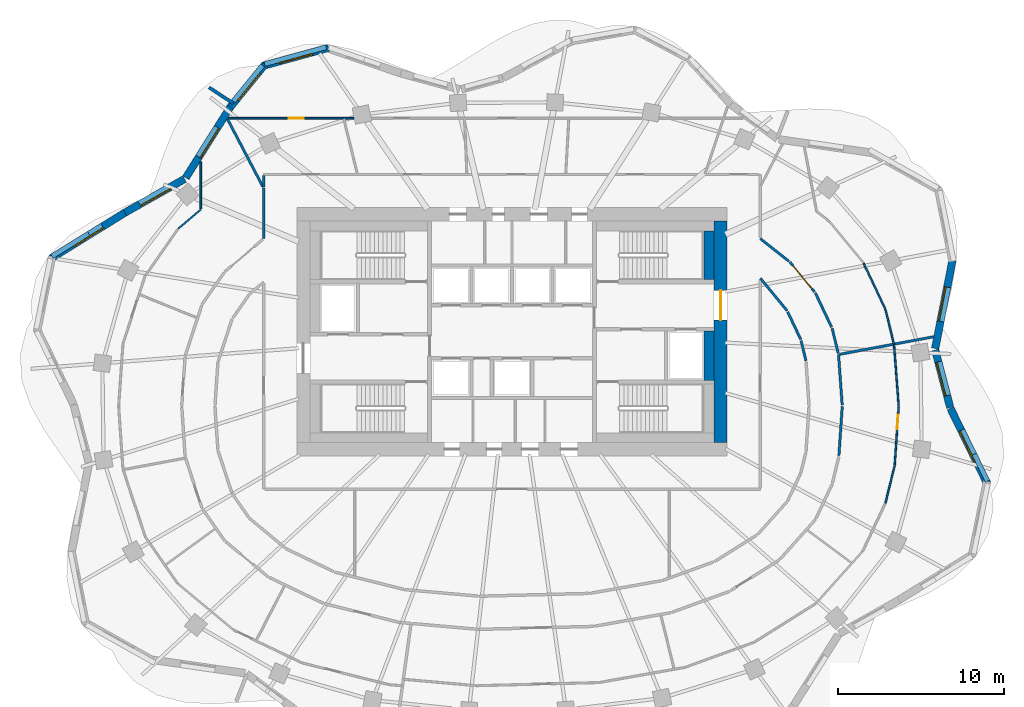
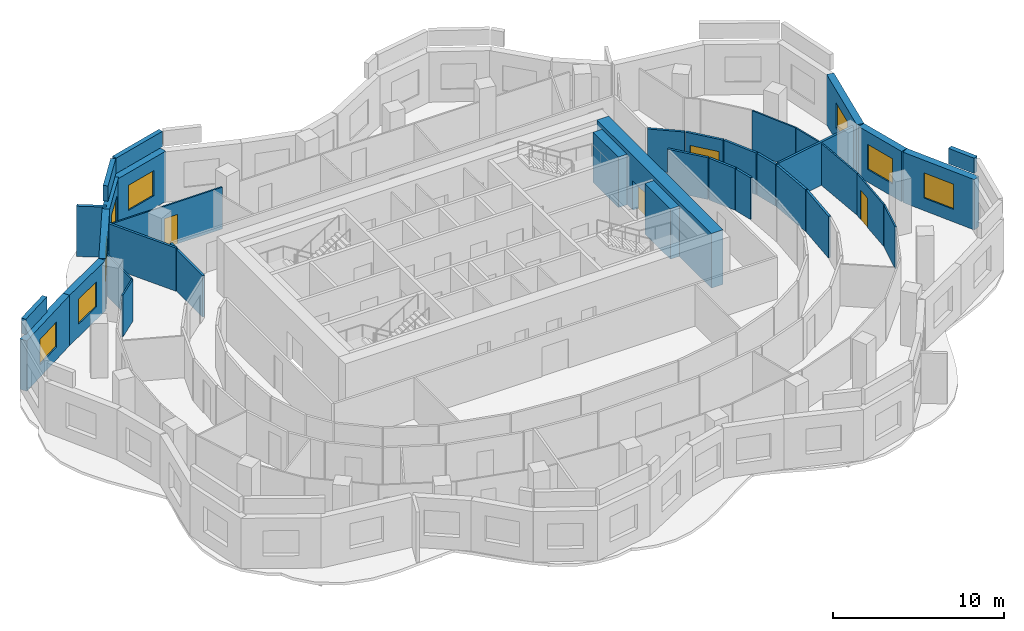
# One storey, part 7 of 10: 37 walls, 8 windows, 4 doors, 12 openings.
"""IFC4 building model written with IfcOpenShell, lengths in metres."""

from ifc_helpers import new_model, si_unit, direction, frame, frame_2d, origin, place, context, subcontext, project, spatial, rectangle, extrude, material, layer, layer_set, type_object, element, fill, save


model = new_model("IFC4")

# Units and contexts
model_context = context("Model", 3, precision=1e-05, world=origin(), true_north=direction((0.0, 1.0)))
body_context = subcontext(model_context, "Body", "Model", "MODEL_VIEW")
ifc_project = project(units=[si_unit("LENGTHUNIT", "METRE"), si_unit("AREAUNIT", "SQUARE_METRE"), si_unit("VOLUMEUNIT", "CUBIC_METRE"), si_unit("PLANEANGLEUNIT", "RADIAN"), si_unit("MASSUNIT", "GRAM", prefix="KILO")], contexts=[model_context])

# Site, building, storey
site_placement = place(None, origin())
site = spatial("IfcSite", under=ifc_project, at=site_placement, CompositionType="ELEMENT")
building_placement = place(site_placement, origin())
building = spatial("IfcBuilding", under=site, at=building_placement, Name="Rubra Terraces Tower", CompositionType="ELEMENT")
storey_placement = place(building_placement, frame((0.0, 0.0, 213.0)))
storey = spatial("IfcBuildingStorey", under=building, at=storey_placement, Name="L52", CompositionType="ELEMENT", Elevation=213.0)

# Wall, opening, window
ifc_material_1 = material(Name="Brick masonry red-brown", Category="masonry")
ifc_layer_1 = layer(ifc_material_1, 0.449951171875)
ifc_layer_set_1 = layer_set([ifc_layer_1], Name="Brick masonry red-brown")
wall_type_1 = type_object("IfcWallType", Name="Brick facade wall 450", PredefinedType="SOLIDWALL", material=ifc_layer_set_1)
wall_1_placement = place(storey_placement, frame((26.469482421875, -0.0791015625, 0.0), z_axis=(0.0, 0.0, 1.0), x_axis=(-0.252446779859, 0.967610780913, 0.0)))
wall_1 = element("IfcWall", 1, at=wall_1_placement, inside=storey, type_object=wall_type_1, Name="Facade wall L52 bay 1", PredefinedType="SOLIDWALL", context=body_context, shape_type="SweptSolid", body=[
    extrude(rectangle(XDim=3.5947265625, YDim=0.449951171875, at=frame_2d((1.79736328125, 0.0))), origin(), (0.0, 0.0, 1.0), 3.60009765625),
])
opening_1_placement = place(wall_1_placement, frame((0.747314453125, 0.0, 0.89990234375)))
opening_1 = element("IfcOpeningElement", 2, at=opening_1_placement, cuts=wall_1, Name="Opening W1Z", PredefinedType="OPENING", context=body_context, shape_type="SweptSolid", body=[
    extrude(rectangle(XDim=2.10009765625, YDim=1.800048828125, at=frame_2d((1.050048828125, 0.89990234375))), frame((0.0, 0.23486328125, 0.0), z_axis=(0.0, -1.0, 0.0), x_axis=(1.0, 0.0, 0.0)), (0.0, 0.0, 1.0), 0.469970703125),
])
ifc_material_2 = material(Name="Clear glass in aluminium frame", Category="aluminium")
window_type = type_object("IfcWindowType", Name="Fixed deep-set window under transfer level 2100 x 1800", PartitioningType="SINGLE_PANEL", PredefinedType="WINDOW", material=ifc_material_2)
window_1_placement = place(opening_1_placement, origin())
window_1 = element("IfcWindow", 3, at=window_1_placement, inside=storey, type_object=window_type, Name="Window L52 bay 1", OverallHeight=1.800048828125, OverallWidth=2.10009765625, PartitioningType="SINGLE_PANEL", PredefinedType="WINDOW", context=body_context, shape_type="SweptSolid", body=[
    extrude(rectangle(XDim=2.10009765625, YDim=1.800048828125, at=frame_2d((1.050048828125, 0.89990234375))), frame((0.0, 0.135009765625, 0.0), z_axis=(0.0, -1.0, 0.0), x_axis=(1.0, 0.0, 0.0)), (0.0, 0.0, 1.0), 0.06005859375),
])
fill(opening_1, window_1)

wall_2_placement = place(storey_placement, frame((25.561279296875, 3.490478515625, 0.0), z_axis=(0.0, 0.0, 1.0), x_axis=(0.192494026297, 0.981298145234, 0.0)))
wall_2 = element("IfcWall", 4, at=wall_2_placement, inside=storey, type_object=wall_type_1, Name="Facade wall L52 bay 2", PredefinedType="SOLIDWALL", context=body_context, shape_type="SweptSolid", body=[
    extrude(rectangle(XDim=5.446044921875, YDim=0.449951171875, at=frame_2d((2.72314453125, 0.0))), origin(), (0.0, 0.0, 1.0), 3.60009765625),
])
opening_2_placement = place(wall_2_placement, frame((1.673095703125, 0.0, 0.89990234375)))
opening_2 = element("IfcOpeningElement", 5, at=opening_2_placement, cuts=wall_2, Name="Opening W1Z", PredefinedType="OPENING", context=body_context, shape_type="SweptSolid", body=[
    extrude(rectangle(XDim=2.10009765625, YDim=1.800048828125, at=frame_2d((1.050048828125, 0.89990234375))), frame((0.0, 0.23486328125, 0.0), z_axis=(0.0, -1.0, 0.0), x_axis=(1.0, 0.0, 0.0)), (0.0, 0.0, 1.0), 0.469970703125),
])
window_2_placement = place(opening_2_placement, origin())
window_2 = element("IfcWindow", 6, at=window_2_placement, inside=storey, type_object=window_type, Name="Window L52 bay 2", OverallHeight=1.800048828125, OverallWidth=2.10009765625, PartitioningType="SINGLE_PANEL", PredefinedType="WINDOW", context=body_context, shape_type="SweptSolid", body=[
    extrude(rectangle(XDim=2.10009765625, YDim=1.800048828125, at=frame_2d((1.050048828125, 0.89990234375))), frame((0.0, 0.135009765625, 0.0), z_axis=(0.0, -1.0, 0.0), x_axis=(1.0, 0.0, 0.0)), (0.0, 0.0, 1.0), 0.06005859375),
])
fill(opening_2, window_2)

wall_3_placement = place(storey_placement, frame((-11.08251953125, 21.64990234375, 0.0), z_axis=(0.0, 0.0, 1.0), x_axis=(-0.964483204983, -0.264144179011, 0.0)))
wall_3 = element("IfcWall", 7, at=wall_3_placement, inside=storey, type_object=wall_type_1, Name="Facade wall L52 bay 14", PredefinedType="SOLIDWALL", context=body_context, shape_type="SweptSolid", body=[
    extrude(rectangle(XDim=4.103759765625, YDim=0.449951171875, at=frame_2d((2.0517578125, 0.0))), origin(), (0.0, 0.0, 1.0), 3.60009765625),
])
opening_3_placement = place(wall_3_placement, frame((1.001953125, 0.0, 0.89990234375)))
opening_3 = element("IfcOpeningElement", 8, at=opening_3_placement, cuts=wall_3, Name="Opening W1Z", PredefinedType="OPENING", context=body_context, shape_type="SweptSolid", body=[
    extrude(rectangle(XDim=2.10009765625, YDim=1.800048828125, at=frame_2d((1.050048828125, 0.89990234375))), frame((0.0, 0.23486328125, 0.0), z_axis=(0.0, -1.0, 0.0), x_axis=(1.0, 0.0, 0.0)), (0.0, 0.0, 1.0), 0.469970703125),
])
window_3_placement = place(opening_3_placement, origin())
window_3 = element("IfcWindow", 9, at=window_3_placement, inside=storey, type_object=window_type, Name="Window L52 bay 14", OverallHeight=1.800048828125, OverallWidth=2.10009765625, PartitioningType="SINGLE_PANEL", PredefinedType="WINDOW", context=body_context, shape_type="SweptSolid", body=[
    extrude(rectangle(XDim=2.10009765625, YDim=1.800048828125, at=frame_2d((1.050048828125, 0.89990234375))), frame((0.0, 0.135009765625, 0.0), z_axis=(0.0, -1.0, 0.0), x_axis=(1.0, 0.0, 0.0)), (0.0, 0.0, 1.0), 0.06005859375),
])
fill(opening_3, window_3)

wall_4_placement = place(storey_placement, frame((-14.925537109375, 20.640869140625, 0.0), z_axis=(0.0, 0.0, 1.0), x_axis=(-0.631548074669, -0.775336720001, 0.0)))
wall_4 = element("IfcWall", 10, at=wall_4_placement, inside=storey, type_object=wall_type_1, Name="Facade wall L52 bay 15", PredefinedType="SOLIDWALL", context=body_context, shape_type="SweptSolid", body=[
    extrude(rectangle(XDim=3.3076171875, YDim=0.449951171875, at=frame_2d((1.65380859375, 0.0))), origin(), (0.0, 0.0, 1.0), 3.60009765625),
])
opening_4_placement = place(wall_4_placement, frame((0.603759765625, 0.0, 0.89990234375)))
opening_4 = element("IfcOpeningElement", 11, at=opening_4_placement, cuts=wall_4, Name="Opening W1Z", PredefinedType="OPENING", context=body_context, shape_type="SweptSolid", body=[
    extrude(rectangle(XDim=2.10009765625, YDim=1.800048828125, at=frame_2d((1.050048828125, 0.89990234375))), frame((0.0, 0.23486328125, 0.0), z_axis=(0.0, -1.0, 0.0), x_axis=(1.0, 0.0, 0.0)), (0.0, 0.0, 1.0), 0.469970703125),
])
window_4_placement = place(opening_4_placement, origin())
window_4 = element("IfcWindow", 12, at=window_4_placement, inside=storey, type_object=window_type, Name="Window L52 bay 15", OverallHeight=1.800048828125, OverallWidth=2.10009765625, PartitioningType="SINGLE_PANEL", PredefinedType="WINDOW", context=body_context, shape_type="SweptSolid", body=[
    extrude(rectangle(XDim=2.10009765625, YDim=1.800048828125, at=frame_2d((1.050048828125, 0.89990234375))), frame((0.0, 0.135009765625, 0.0), z_axis=(0.0, -1.0, 0.0), x_axis=(1.0, 0.0, 0.0)), (0.0, 0.0, 1.0), 0.06005859375),
])
fill(opening_4, window_4)

wall_5_placement = place(storey_placement, frame((-16.998291015625, 18.0986328125, 0.0), z_axis=(0.0, 0.0, 1.0), x_axis=(-0.532745661304, -0.846275404559, 0.0)))
wall_5 = element("IfcWall", 13, at=wall_5_placement, inside=storey, type_object=wall_type_1, Name="Facade wall L52 bay 16", PredefinedType="SOLIDWALL", context=body_context, shape_type="SweptSolid", body=[
    extrude(rectangle(XDim=5.076171875, YDim=0.449951171875, at=frame_2d((2.5380859375, 0.0))), origin(), (0.0, 0.0, 1.0), 3.60009765625),
])
opening_5_placement = place(wall_5_placement, frame((1.488037109375, 0.0, 0.89990234375)))
opening_5 = element("IfcOpeningElement", 14, at=opening_5_placement, cuts=wall_5, Name="Opening W1Z", PredefinedType="OPENING", context=body_context, shape_type="SweptSolid", body=[
    extrude(rectangle(XDim=2.10009765625, YDim=1.800048828125, at=frame_2d((1.050048828125, 0.89990234375))), frame((0.0, 0.23486328125, 0.0), z_axis=(0.0, -1.0, 0.0), x_axis=(1.0, 0.0, 0.0)), (0.0, 0.0, 1.0), 0.469970703125),
])
window_5_placement = place(opening_5_placement, origin())
window_5 = element("IfcWindow", 15, at=window_5_placement, inside=storey, type_object=window_type, Name="Window L52 bay 16", OverallHeight=1.800048828125, OverallWidth=2.10009765625, PartitioningType="SINGLE_PANEL", PredefinedType="WINDOW", context=body_context, shape_type="SweptSolid", body=[
    extrude(rectangle(XDim=2.10009765625, YDim=1.800048828125, at=frame_2d((1.050048828125, 0.89990234375))), frame((0.0, 0.135009765625, 0.0), z_axis=(0.0, -1.0, 0.0), x_axis=(1.0, 0.0, 0.0)), (0.0, 0.0, 1.0), 0.06005859375),
])
fill(opening_5, window_5)

wall_6_placement = place(storey_placement, frame((-19.77587890625, 13.730712890625, 0.0), z_axis=(0.0, 0.0, 1.0), x_axis=(-0.870610133829, -0.491973571318, 0.0)))
wall_6 = element("IfcWall", 16, at=wall_6_placement, inside=storey, type_object=wall_type_1, Name="Facade wall L52 bay 17", PredefinedType="SOLIDWALL", context=body_context, shape_type="SweptSolid", body=[
    extrude(rectangle(XDim=4.1337890625, YDim=0.449951171875, at=frame_2d((2.06689453125, 0.0))), origin(), (0.0, 0.0, 1.0), 3.60009765625),
])
opening_6_placement = place(wall_6_placement, frame((1.016845703125, 0.0, 0.89990234375)))
opening_6 = element("IfcOpeningElement", 17, at=opening_6_placement, cuts=wall_6, Name="Opening W1Z", PredefinedType="OPENING", context=body_context, shape_type="SweptSolid", body=[
    extrude(rectangle(XDim=2.10009765625, YDim=1.800048828125, at=frame_2d((1.050048828125, 0.89990234375))), frame((0.0, 0.23486328125, 0.0), z_axis=(0.0, -1.0, 0.0), x_axis=(1.0, 0.0, 0.0)), (0.0, 0.0, 1.0), 0.469970703125),
])
window_6_placement = place(opening_6_placement, origin())
window_6 = element("IfcWindow", 18, at=window_6_placement, inside=storey, type_object=window_type, Name="Window L52 bay 17", OverallHeight=1.800048828125, OverallWidth=2.10009765625, PartitioningType="SINGLE_PANEL", PredefinedType="WINDOW", context=body_context, shape_type="SweptSolid", body=[
    extrude(rectangle(XDim=2.10009765625, YDim=1.800048828125, at=frame_2d((1.050048828125, 0.89990234375))), frame((0.0, 0.135009765625, 0.0), z_axis=(0.0, -1.0, 0.0), x_axis=(1.0, 0.0, 0.0)), (0.0, 0.0, 1.0), 0.06005859375),
])
fill(opening_6, window_6)

wall_7_placement = place(storey_placement, frame((-23.368408203125, 11.700927734375, 0.0), z_axis=(0.0, 0.0, 1.0), x_axis=(-0.850251408633, -0.526376806211, 0.0)))
wall_7 = element("IfcWall", 19, at=wall_7_placement, inside=storey, type_object=wall_type_1, Name="Facade wall L52 bay 18", PredefinedType="SOLIDWALL", context=body_context, shape_type="SweptSolid", body=[
    extrude(rectangle(XDim=5.30224609375, YDim=0.449951171875, at=frame_2d((2.651123046875, 0.0))), origin(), (0.0, 0.0, 1.0), 3.60009765625),
])
opening_7_placement = place(wall_7_placement, frame((1.601318359375, 0.0, 0.89990234375)))
opening_7 = element("IfcOpeningElement", 20, at=opening_7_placement, cuts=wall_7, Name="Opening W1Z", PredefinedType="OPENING", context=body_context, shape_type="SweptSolid", body=[
    extrude(rectangle(XDim=2.10009765625, YDim=1.800048828125, at=frame_2d((1.050048828125, 0.89990234375))), frame((0.0, 0.23486328125, 0.0), z_axis=(0.0, -1.0, 0.0), x_axis=(1.0, 0.0, 0.0)), (0.0, 0.0, 1.0), 0.469970703125),
])
window_7_placement = place(opening_7_placement, origin())
window_7 = element("IfcWindow", 21, at=window_7_placement, inside=storey, type_object=window_type, Name="Window L52 bay 18", OverallHeight=1.800048828125, OverallWidth=2.10009765625, PartitioningType="SINGLE_PANEL", PredefinedType="WINDOW", context=body_context, shape_type="SweptSolid", body=[
    extrude(rectangle(XDim=2.10009765625, YDim=1.800048828125, at=frame_2d((1.050048828125, 0.89990234375))), frame((0.0, 0.135009765625, 0.0), z_axis=(0.0, -1.0, 0.0), x_axis=(1.0, 0.0, 0.0)), (0.0, 0.0, 1.0), 0.06005859375),
])
fill(opening_7, window_7)

wall_8_placement = place(storey_placement, frame((28.70703125, -4.672119140625, 0.0), z_axis=(0.0, 0.0, 1.0), x_axis=(-0.439053549989, 0.898460895221, 0.0)))
wall_8 = element("IfcWall", 22, at=wall_8_placement, inside=storey, type_object=wall_type_1, Name="Facade wall L52 bay 40", PredefinedType="SOLIDWALL", context=body_context, shape_type="SweptSolid", body=[
    extrude(rectangle(XDim=5.061767578125, YDim=0.449951171875, at=frame_2d((2.53076171875, 0.0))), origin(), (0.0, 0.0, 1.0), 3.60009765625),
])
opening_8_placement = place(wall_8_placement, frame((1.48095703125, 0.0, 0.89990234375)))
opening_8 = element("IfcOpeningElement", 23, at=opening_8_placement, cuts=wall_8, Name="Opening W1Z", PredefinedType="OPENING", context=body_context, shape_type="SweptSolid", body=[
    extrude(rectangle(XDim=2.10009765625, YDim=1.800048828125, at=frame_2d((1.050048828125, 0.89990234375))), frame((0.0, 0.23486328125, 0.0), z_axis=(0.0, -1.0, 0.0), x_axis=(1.0, 0.0, 0.0)), (0.0, 0.0, 1.0), 0.469970703125),
])
window_8_placement = place(opening_8_placement, origin())
window_8 = element("IfcWindow", 24, at=window_8_placement, inside=storey, type_object=window_type, Name="Window L52 bay 40", OverallHeight=1.800048828125, OverallWidth=2.10009765625, PartitioningType="SINGLE_PANEL", PredefinedType="WINDOW", context=body_context, shape_type="SweptSolid", body=[
    extrude(rectangle(XDim=2.10009765625, YDim=1.800048828125, at=frame_2d((1.050048828125, 0.89990234375))), frame((0.0, 0.135009765625, 0.0), z_axis=(0.0, -1.0, 0.0), x_axis=(1.0, 0.0, 0.0)), (0.0, 0.0, 1.0), 0.06005859375),
])
fill(opening_8, window_8)

# Walls
ifc_layer_2 = layer(ifc_material_1, 0.300048828125)
ifc_layer_set_2 = layer_set([ifc_layer_2], Name="Brick masonry red-brown")
wall_type_2 = type_object("IfcWallType", Name="Brick parapet 300", PredefinedType="PARAPET", material=ifc_layer_set_2)
wall_9_placement = place(storey_placement, frame((-11.220458984375, 21.68994140625, 3.89990234375), z_axis=(0.0, 0.0, 1.0), x_axis=(-0.964484148392, -0.264140734271, 0.0)))
element("IfcWall", 25, at=wall_9_placement, inside=storey, type_object=wall_type_2, Name="Parapet L52 bay 14", PredefinedType="PARAPET", context=body_context, shape_type="SweptSolid", body=[
    extrude(rectangle(XDim=3.855224609375, YDim=0.300048828125, at=frame_2d((1.927734375, 0.0))), origin(), (0.0, 0.0, 1.0), 1.10009765625),
])
wall_10_placement = place(storey_placement, frame((-15.063232421875, 20.590576171875, 3.89990234375), z_axis=(0.0, 0.0, 1.0), x_axis=(-0.631553484363, -0.77533231352, 0.0)))
element("IfcWall", 26, at=wall_10_placement, inside=storey, type_object=wall_type_2, Name="Parapet L52 bay 15", PredefinedType="PARAPET", context=body_context, shape_type="SweptSolid", body=[
    extrude(rectangle(XDim=2.8203125, YDim=0.300048828125, at=frame_2d((1.41015625, 0.0))), origin(), (0.0, 0.0, 1.0), 1.10009765625),
])
wall_11_placement = place(storey_placement, frame((-25.561279296875, 10.431396484375, 3.89990234375), z_axis=(0.0, 0.0, 1.0), x_axis=(-0.85026116811, -0.526361041495, 0.0)))
element("IfcWall", 27, at=wall_11_placement, inside=storey, type_object=wall_type_2, Name="Parapet L52 bay 18", PredefinedType="PARAPET", context=body_context, shape_type="SweptSolid", body=[
    extrude(rectangle(XDim=2.615478515625, YDim=0.300048828125, at=frame_2d((1.3076171875, 0.0))), origin(), (0.0, 0.0, 1.0), 1.10009765625),
])
wall_12_placement = place(storey_placement, frame((28.719482421875, -4.5263671875, 3.89990234375), z_axis=(0.0, 0.0, 1.0), x_axis=(-0.439128139237, 0.898424441636, 0.0)))
element("IfcWall", 28, at=wall_12_placement, inside=storey, type_object=wall_type_2, Name="Parapet L52 bay 40", PredefinedType="PARAPET", context=body_context, shape_type="SweptSolid", body=[
    extrude(rectangle(XDim=1.815673828125, YDim=0.300048828125, at=frame_2d((0.90771484375, 0.0))), origin(), (0.0, 0.0, 1.0), 1.10009765625),
])
ifc_layer_3 = layer(ifc_material_1, 0.199951171875)
ifc_layer_set_3 = layer_set([ifc_layer_3], Name="Brick masonry red-brown")
wall_type_3 = type_object("IfcWallType", Name="Brick wind fin 200", PredefinedType="SOLIDWALL", material=ifc_layer_set_3)
wall_13_placement = place(storey_placement, frame((-16.837890625, 18.298095703125, 0.0), z_axis=(0.0, 0.0, 1.0), x_axis=(-0.835871900419, 0.548924554097, 0.0)))
element("IfcWall", 29, at=wall_13_placement, inside=storey, type_object=wall_type_3, Name="Wind fin L52 9", PredefinedType="SOLIDWALL", context=body_context, shape_type="SweptSolid", body=[
    extrude(rectangle(XDim=1.750244140625, YDim=0.199951171875, at=frame_2d((0.875, 0.0))), origin(), (0.0, 0.0, 1.0), 3.60009765625),
])

# Wall, opening, door
ifc_material_3 = material(Name="Concrete C50", Category="concrete")
ifc_layer_4 = layer(ifc_material_3, 0.800048828125)
ifc_layer_set_4 = layer_set([ifc_layer_4], Name="Concrete C50")
wall_type_4 = type_object("IfcWallType", Name="CORE WALL 800 C50", PredefinedType="SHEAR", material=ifc_layer_set_4)
wall_14_placement = place(storey_placement, frame((12.60009765625, -2.199951171875, 0.0), z_axis=(0.0, 0.0, 1.0), x_axis=(0.0, 1.0, 0.0)))
wall_14 = element("IfcWall", 30, at=wall_14_placement, inside=storey, type_object=wall_type_4, Name="CORE WALL E L52", PredefinedType="SHEAR", context=body_context, shape_type="SweptSolid", body=[
    extrude(rectangle(XDim=13.39990234375, YDim=0.800048828125, at=frame_2d((6.699951171875, 0.0))), origin(), (0.0, 0.0, 1.0), 3.89990234375),
])
opening_9_placement = place(wall_14_placement, frame((7.39990234375, 0.0, 0.0)))
opening_9 = element("IfcOpeningElement", 31, at=opening_9_placement, cuts=wall_14, Name="Opening L52.C02", PredefinedType="OPENING", context=body_context, shape_type="SweptSolid", body=[
    extrude(rectangle(XDim=1.800048828125, YDim=2.10009765625, at=frame_2d((0.89990234375, 1.050048828125))), frame((0.0, 0.409912109375, 0.0), z_axis=(0.0, -1.0, 0.0), x_axis=(1.0, 0.0, 0.0)), (0.0, 0.0, 1.0), 0.820068359375),
])
ifc_material_4 = material(Name="Painted steel", Category="steel")
door_type_1 = type_object("IfcDoorType", Name="Fire door 1800x2100 double", OperationType="NOTDEFINED", PredefinedType="DOOR", material=ifc_material_4)
door_1_placement = place(opening_9_placement, origin())
door_1 = element("IfcDoor", 32, at=door_1_placement, inside=storey, type_object=door_type_1, Name="Core entrance door FF2", OperationType="DOUBLE_DOOR_SINGLE_SWING", OverallHeight=2.10009765625, OverallWidth=1.800048828125, PredefinedType="DOOR", context=body_context, shape_type="SweptSolid", body=[
    extrude(rectangle(XDim=1.800048828125, YDim=2.10009765625, at=frame_2d((0.89990234375, 1.050048828125))), frame((0.0, 0.02490234375, 0.0), z_axis=(0.0, -1.0, 0.0), x_axis=(1.0, 0.0, 0.0)), (0.0, 0.0, 1.0), 0.050048828125),
])
fill(opening_9, door_1)

# Walls
ifc_material_5 = material(Name="Plasterboard on steel stud, mineral wool infill", Category="steel")
ifc_layer_5 = layer(ifc_material_5, 0.14990234375)
ifc_layer_set_5 = layer_set([ifc_layer_5], Name="Plasterboard on steel stud, mineral wool infill")
wall_type_5 = type_object("IfcWallType", Name="CORRIDOR PARTITION 150", PredefinedType="PARTITIONING", material=ifc_layer_set_5)
wall_15_placement = place(storey_placement, frame((-15.0, 13.173583984375, 0.0), z_axis=(0.0, 0.0, 1.0), x_axis=(0.0, -1.0, 0.0)))
element("IfcWall", 33, at=wall_15_placement, inside=storey, type_object=wall_type_5, Name="PARTITION", PredefinedType="PARTITIONING", context=body_context, shape_type="SweptSolid", body=[
    extrude(rectangle(XDim=3.052001953125, YDim=0.14990234375, at=frame_2d((1.52587890625, 0.0))), origin(), (0.0, 0.0, 1.0), 2.98388671875),
])
wall_16_placement = place(storey_placement, frame((19.745361328125, -2.9775390625, 0.0), z_axis=(0.0, 0.0, 1.0), x_axis=(0.068142324, 0.997675610447, 0.0)))
element("IfcWall", 34, at=wall_16_placement, inside=storey, type_object=wall_type_5, Name="PARTITION", PredefinedType="PARTITIONING", context=body_context, shape_type="SweptSolid", body=[
    extrude(rectangle(XDim=2.984375, YDim=0.14990234375, at=frame_2d((1.4921875, 0.0))), origin(), (0.0, 0.0, 1.0), 2.98388671875),
])
wall_17_placement = place(storey_placement, frame((19.943359375, 0.07470703125, 0.0), z_axis=(0.0, 0.0, 1.0), x_axis=(-0.072222486356, 0.997388546387, 0.0)))
element("IfcWall", 35, at=wall_17_placement, inside=storey, type_object=wall_type_5, Name="PARTITION", PredefinedType="PARTITIONING", context=body_context, shape_type="SweptSolid", body=[
    extrude(rectangle(XDim=3.059326171875, YDim=0.14990234375, at=frame_2d((1.52978515625, 0.0))), origin(), (0.0, 0.0, 1.0), 2.98388671875),
])
wall_18_placement = place(storey_placement, frame((19.70458984375, 3.198974609375, 0.0), z_axis=(0.0, 0.0, 1.0), x_axis=(-0.23678945494, 0.971560988322, 0.0)))
element("IfcWall", 36, at=wall_18_placement, inside=storey, type_object=wall_type_5, Name="PARTITION", PredefinedType="PARTITIONING", context=body_context, shape_type="SweptSolid", body=[
    extrude(rectangle(XDim=1.55078125, YDim=0.14990234375, at=frame_2d((0.775390625, 0.0))), origin(), (0.0, 0.0, 1.0), 2.98388671875),
])
wall_19_placement = place(storey_placement, frame((19.305419921875, 4.7734375, 0.0), z_axis=(0.0, 0.0, 1.0), x_axis=(-0.428173054138, 0.903696760927, 0.0)))
element("IfcWall", 37, at=wall_19_placement, inside=storey, type_object=wall_type_5, Name="PARTITION", PredefinedType="PARTITIONING", context=body_context, shape_type="SweptSolid", body=[
    extrude(rectangle(XDim=2.299560546875, YDim=0.14990234375, at=frame_2d((1.14990234375, 0.0))), origin(), (0.0, 0.0, 1.0), 2.98388671875),
])

# Wall, opening, door
wall_20_placement = place(storey_placement, frame((18.273193359375, 6.9091796875, 0.0), z_axis=(0.0, 0.0, 1.0), x_axis=(-0.63653648943, 0.771246586783, 0.0)))
wall_20 = element("IfcWall", 38, at=wall_20_placement, inside=storey, type_object=wall_type_5, Name="PARTITION", PredefinedType="PARTITIONING", context=body_context, shape_type="SweptSolid", body=[
    extrude(rectangle(XDim=2.341552734375, YDim=0.14990234375, at=frame_2d((1.1708984375, 0.0))), origin(), (0.0, 0.0, 1.0), 2.98388671875),
])
opening_10_placement = place(wall_20_placement, frame((0.25, 0.0, 0.0)))
opening_10 = element("IfcOpeningElement", 39, at=opening_10_placement, cuts=wall_20, Name="Opening 52-110", PredefinedType="OPENING", context=body_context, shape_type="SweptSolid", body=[
    extrude(rectangle(XDim=1.800048828125, YDim=2.10009765625, at=frame_2d((0.89990234375, 1.050048828125))), frame((0.0, 0.0849609375, 0.0), z_axis=(0.0, -1.0, 0.0), x_axis=(1.0, 0.0, 0.0)), (0.0, 0.0, 1.0), 0.169921875),
])
ifc_material_6 = material(Name="Painted timber door leaf, double", Category="wood")
door_type_2 = type_object("IfcDoorType", Name="ROOM DOUBLE DOOR 1800 X 2100", OperationType="DOUBLE_DOOR_SINGLE_SWING", PredefinedType="DOOR", material=ifc_material_6)
door_2_placement = place(opening_10_placement, origin())
door_2 = element("IfcDoor", 40, at=door_2_placement, inside=storey, type_object=door_type_2, Name="DOOR 52-110", OperationType="DOUBLE_DOOR_SINGLE_SWING", OverallHeight=2.10009765625, OverallWidth=1.800048828125, PredefinedType="DOOR", context=body_context, shape_type="SweptSolid", body=[
    extrude(rectangle(XDim=1.800048828125, YDim=2.10009765625, at=frame_2d((0.89990234375, 1.050048828125))), frame((0.0, 0.02490234375, 0.0), z_axis=(0.0, -1.0, 0.0), x_axis=(1.0, 0.0, 0.0)), (0.0, 0.0, 1.0), 0.050048828125),
])
fill(opening_10, door_2)

# Walls
wall_21_placement = place(storey_placement, frame((16.723876953125, 8.761474609375, 0.0), z_axis=(0.0, 0.0, 1.0), x_axis=(-0.785124633057, 0.619337800047, 0.0)))
element("IfcWall", 41, at=wall_21_placement, inside=storey, type_object=wall_type_5, Name="PARTITION", PredefinedType="PARTITIONING", context=body_context, shape_type="SweptSolid", body=[
    extrude(rectangle(XDim=2.195556640625, YDim=0.14990234375, at=frame_2d((1.09765625, 0.0))), origin(), (0.0, 0.0, 1.0), 2.98388671875),
])
wall_22_placement = place(storey_placement, frame((-15.0, 13.925048828125, 0.0), z_axis=(0.0, 0.0, 1.0), x_axis=(0.0, -1.0, 0.0)))
element("IfcWall", 42, at=wall_22_placement, inside=storey, type_object=wall_type_5, Name="PARTITION", PredefinedType="PARTITIONING", context=body_context, shape_type="SweptSolid", body=[
    extrude(rectangle(XDim=0.676513671875, YDim=0.14990234375, at=frame_2d((0.33837890625, 0.0))), origin(), (0.0, 0.0, 1.0), 2.98388671875),
])
wall_23_placement = place(storey_placement, frame((15.0, 7.73291015625, 0.0), z_axis=(0.0, 0.0, 1.0), x_axis=(0.636601263488, -0.771193121938, 0.0)))
element("IfcWall", 43, at=wall_23_placement, inside=storey, type_object=wall_type_5, Name="PARTITION", PredefinedType="PARTITIONING", context=body_context, shape_type="SweptSolid", body=[
    extrude(rectangle(XDim=2.544921875, YDim=0.14990234375, at=frame_2d((1.2724609375, 0.0))), origin(), (0.0, 0.0, 1.0), 2.98388671875),
])
wall_24_placement = place(storey_placement, frame((16.652099609375, 5.702392578125, 0.0), z_axis=(0.0, 0.0, 1.0), x_axis=(0.428126129773, -0.903718992279, 0.0)))
element("IfcWall", 44, at=wall_24_placement, inside=storey, type_object=wall_type_5, Name="PARTITION", PredefinedType="PARTITIONING", context=body_context, shape_type="SweptSolid", body=[
    extrude(rectangle(XDim=1.846435546875, YDim=0.14990234375, at=frame_2d((0.92333984375, 0.0))), origin(), (0.0, 0.0, 1.0), 2.98388671875),
])
wall_25_placement = place(storey_placement, frame((17.46044921875, 3.9609375, 0.0), z_axis=(0.0, 0.0, 1.0), x_axis=(0.236655249498, -0.971593687137, 0.0)))
element("IfcWall", 45, at=wall_25_placement, inside=storey, type_object=wall_type_5, Name="PARTITION", PredefinedType="PARTITIONING", context=body_context, shape_type="SweptSolid", body=[
    extrude(rectangle(XDim=1.25146484375, YDim=0.14990234375, at=frame_2d((0.625732421875, 0.0))), origin(), (0.0, 0.0, 1.0), 2.98388671875),
])
ifc_material_7 = material(Name="Concrete C40", Category="concrete")
ifc_layer_6 = layer(ifc_material_7, 0.60009765625)
ifc_layer_set_6 = layer_set([ifc_layer_6], Name="Concrete C40")
wall_type_6 = type_object("IfcWallType", Name="Core lining wall 600 concrete", PredefinedType="SOLIDWALL", material=ifc_layer_set_6)
wall_26_placement = place(storey_placement, frame((11.89990234375, 10.60009765625, 0.0), z_axis=(0.0, 0.0, 1.0), x_axis=(0.0, -1.0, 0.0)))
element("IfcWall", 46, at=wall_26_placement, inside=storey, type_object=wall_type_6, Name="CORE LINING WALL L52", PredefinedType="SOLIDWALL", context=body_context, shape_type="SweptSolid", body=[
    extrude(rectangle(XDim=2.9501953125, YDim=0.60009765625, at=frame_2d((1.47509765625, 0.0))), origin(), (0.0, 0.0, 1.0), 3.60009765625),
])
wall_27_placement = place(storey_placement, frame((11.89990234375, 4.550048828125, 0.0), z_axis=(0.0, 0.0, 1.0), x_axis=(0.0, -1.0, 0.0)))
element("IfcWall", 47, at=wall_27_placement, inside=storey, type_object=wall_type_6, Name="CORE LINING WALL L52", PredefinedType="SOLIDWALL", context=body_context, shape_type="SweptSolid", body=[
    extrude(rectangle(XDim=3.0, YDim=0.60009765625, at=frame_2d((1.5, 0.0))), origin(), (0.0, 0.0, 1.0), 3.60009765625),
])
ifc_material_8 = material(Name="Plasterboard on steel stud", Category="steel")
ifc_layer_7 = layer(ifc_material_8, 0.10009765625)
ifc_layer_set_7 = layer_set([ifc_layer_7], Name="Plasterboard on steel stud")
wall_type_7 = type_object("IfcWallType", Name="ROOM PARTITION 100", PredefinedType="PARTITIONING", material=ifc_layer_set_7)
wall_28_placement = place(storey_placement, frame((-20.1513671875, 10.733642578125, 0.0), z_axis=(0.0, 0.0, 1.0), x_axis=(0.762465888028, 0.647028414827, 0.0)))
element("IfcWall", 48, at=wall_28_placement, inside=storey, type_object=wall_type_7, Name="PARTITION", PredefinedType="PARTITIONING", context=body_context, shape_type="SweptSolid", body=[
    extrude(rectangle(XDim=1.772216796875, YDim=0.10009765625, at=frame_2d((0.88623046875, 0.0))), origin(), (0.0, 0.0, 1.0), 2.98388671875),
])
wall_29_placement = place(storey_placement, frame((-18.800048828125, 11.930419921875, 0.0), z_axis=(0.0, 0.0, 1.0), x_axis=(0.0, 1.0, 0.0)))
element("IfcWall", 49, at=wall_29_placement, inside=storey, type_object=wall_type_7, Name="PARTITION", PredefinedType="PARTITIONING", context=body_context, shape_type="SweptSolid", body=[
    extrude(rectangle(XDim=2.846435546875, YDim=0.10009765625, at=frame_2d((1.42333984375, 0.0))), origin(), (0.0, 0.0, 1.0), 2.98388671875),
])
wall_30_placement = place(storey_placement, frame((23.07421875, 3.731689453125, 0.0), z_axis=(0.0, 0.0, 1.0), x_axis=(0.075479196263, -0.997147376736, 0.0)))
element("IfcWall", 50, at=wall_30_placement, inside=storey, type_object=wall_type_7, Name="PARTITION", PredefinedType="PARTITIONING", context=body_context, shape_type="SweptSolid", body=[
    extrude(rectangle(XDim=3.742431640625, YDim=0.10009765625, at=frame_2d((1.87109375, 0.0))), origin(), (0.0, 0.0, 1.0), 2.98388671875),
])

# Wall, opening, door
wall_31_placement = place(storey_placement, frame((23.353515625, -0.0498046875, 0.0), z_axis=(0.0, 0.0, 1.0), x_axis=(-0.06820679361, -0.99767120501, 0.0)))
wall_31 = element("IfcWall", 51, at=wall_31_placement, inside=storey, type_object=wall_type_7, Name="PARTITION", PredefinedType="PARTITIONING", context=body_context, shape_type="SweptSolid", body=[
    extrude(rectangle(XDim=3.532958984375, YDim=0.10009765625, at=frame_2d((1.7666015625, 0.0))), origin(), (0.0, 0.0, 1.0), 2.98388671875),
])
opening_11_placement = place(wall_31_placement, frame((0.449951171875, 0.0, 0.0)))
opening_11 = element("IfcOpeningElement", 52, at=opening_11_placement, cuts=wall_31, Name="Opening 52-109", PredefinedType="OPENING", context=body_context, shape_type="SweptSolid", body=[
    extrude(rectangle(XDim=0.89990234375, YDim=2.10009765625, at=frame_2d((0.449951171875, 1.050048828125))), frame((0.0, 0.06005859375, 0.0), z_axis=(0.0, -1.0, 0.0), x_axis=(1.0, 0.0, 0.0)), (0.0, 0.0, 1.0), 0.1201171875),
])
ifc_material_9 = material(Name="Painted timber door leaf", Category="wood")
door_type_3 = type_object("IfcDoorType", Name="ROOM DOOR 900 X 2100", OperationType="SINGLE_SWING_LEFT", PredefinedType="DOOR", material=ifc_material_9)
door_3_placement = place(opening_11_placement, origin())
door_3 = element("IfcDoor", 53, at=door_3_placement, inside=storey, type_object=door_type_3, Name="DOOR 52-109", OperationType="SINGLE_SWING_LEFT", OverallHeight=2.10009765625, OverallWidth=0.89990234375, PredefinedType="DOOR", context=body_context, shape_type="SweptSolid", body=[
    extrude(rectangle(XDim=0.89990234375, YDim=2.10009765625, at=frame_2d((0.449951171875, 1.050048828125))), frame((0.0, 0.02490234375, 0.0), z_axis=(0.0, -1.0, 0.0), x_axis=(1.0, 0.0, 0.0)), (0.0, 0.0, 1.0), 0.050048828125),
])
fill(opening_11, door_3)

# Wall
wall_32_placement = place(storey_placement, frame((23.100830078125, -3.623046875, 0.0), z_axis=(0.0, 0.0, 1.0), x_axis=(-0.236811358433, -0.971555649727, 0.0)))
element("IfcWall", 54, at=wall_32_placement, inside=storey, type_object=wall_type_7, Name="PARTITION", PredefinedType="PARTITIONING", context=body_context, shape_type="SweptSolid", body=[
    extrude(rectangle(XDim=2.289794921875, YDim=0.10009765625, at=frame_2d((1.14501953125, 0.0))), origin(), (0.0, 0.0, 1.0), 2.98388671875),
])

# Wall, opening, door
wall_33_placement = place(storey_placement, frame((-17.148681640625, 17.39990234375, 0.0), z_axis=(0.0, 0.0, 1.0), x_axis=(1.0, 0.0, 0.0)))
wall_33 = element("IfcWall", 55, at=wall_33_placement, inside=storey, type_object=wall_type_7, Name="PARTITION", PredefinedType="PARTITIONING", context=body_context, shape_type="SweptSolid", body=[
    extrude(rectangle(XDim=7.602294921875, YDim=0.10009765625, at=frame_2d((3.80126953125, 0.0))), origin(), (0.0, 0.0, 1.0), 2.98388671875),
])
opening_12_placement = place(wall_33_placement, frame((3.66796875, 0.0, 0.0)))
opening_12 = element("IfcOpeningElement", 56, at=opening_12_placement, cuts=wall_33, Name="Opening 52-115", PredefinedType="OPENING", context=body_context, shape_type="SweptSolid", body=[
    extrude(rectangle(XDim=0.89990234375, YDim=2.10009765625, at=frame_2d((0.449951171875, 1.050048828125))), frame((0.0, 0.06005859375, 0.0), z_axis=(0.0, -1.0, 0.0), x_axis=(1.0, 0.0, 0.0)), (0.0, 0.0, 1.0), 0.1201171875),
])
door_4_placement = place(opening_12_placement, origin())
door_4 = element("IfcDoor", 57, at=door_4_placement, inside=storey, type_object=door_type_3, Name="DOOR 52-115", OperationType="SINGLE_SWING_LEFT", OverallHeight=2.10009765625, OverallWidth=0.89990234375, PredefinedType="DOOR", context=body_context, shape_type="SweptSolid", body=[
    extrude(rectangle(XDim=0.89990234375, YDim=2.10009765625, at=frame_2d((0.449951171875, 1.050048828125))), frame((0.0, 0.02490234375, 0.0), z_axis=(0.0, -1.0, 0.0), x_axis=(1.0, 0.0, 0.0)), (0.0, 0.0, 1.0), 0.050048828125),
])
fill(opening_12, door_4)

# Walls
wall_34_placement = place(storey_placement, frame((21.233642578125, 8.644287109375, 0.0), z_axis=(0.0, 0.0, 1.0), x_axis=(0.428147386965, -0.903708921631, 0.0)))
element("IfcWall", 58, at=wall_34_placement, inside=storey, type_object=wall_type_7, Name="PARTITION", PredefinedType="PARTITIONING", context=body_context, shape_type="SweptSolid", body=[
    extrude(rectangle(XDim=3.0947265625, YDim=0.10009765625, at=frame_2d((1.54736328125, 0.0))), origin(), (0.0, 0.0, 1.0), 2.98388671875),
])
wall_35_placement = place(storey_placement, frame((22.5703125, 5.799072265625, 0.0), z_axis=(0.0, 0.0, 1.0), x_axis=(0.236808111838, -0.971556441061, 0.0)))
element("IfcWall", 59, at=wall_35_placement, inside=storey, type_object=wall_type_7, Name="PARTITION", PredefinedType="PARTITIONING", context=body_context, shape_type="SweptSolid", body=[
    extrude(rectangle(XDim=2.087646484375, YDim=0.10009765625, at=frame_2d((1.0439453125, 0.0))), origin(), (0.0, 0.0, 1.0), 2.98388671875),
])
ifc_layer_8 = layer(ifc_material_8, 0.14990234375)
ifc_layer_set_8 = layer_set([ifc_layer_8], Name="Plasterboard on steel stud")
wall_type_8 = type_object("IfcWallType", Name="ROOM PARTITION 150", PredefinedType="PARTITIONING", material=ifc_layer_set_8)
wall_36_placement = place(storey_placement, frame((-17.19287109375, 17.35986328125, 0.0), z_axis=(0.0, 0.0, 1.0), x_axis=(0.463995225493, -0.885837699988, 0.0)))
element("IfcWall", 60, at=wall_36_placement, inside=storey, type_object=wall_type_8, Name="PARTITION", PredefinedType="PARTITIONING", context=body_context, shape_type="SweptSolid", body=[
    extrude(rectangle(XDim=4.65087890625, YDim=0.14990234375, at=frame_2d((2.325439453125, 0.0))), origin(), (0.0, 0.0, 1.0), 3.083984375),
])
wall_37_placement = place(storey_placement, frame((25.466796875, 4.198974609375, 0.0), z_axis=(0.0, 0.0, 1.0), x_axis=(-0.983002736938, -0.183590901659, 0.0)))
element("IfcWall", 61, at=wall_37_placement, inside=storey, type_object=wall_type_8, Name="PARTITION", PredefinedType="PARTITIONING", context=body_context, shape_type="SweptSolid", body=[
    extrude(rectangle(XDim=5.768798828125, YDim=0.14990234375, at=frame_2d((2.88427734375, 0.0))), origin(), (0.0, 0.0, 1.0), 3.083984375),
])

save(model, "model.ifc")
